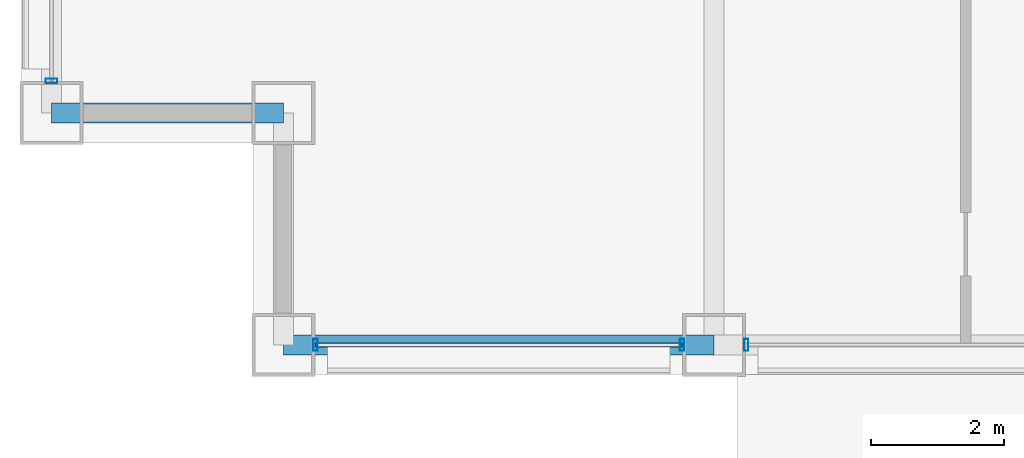
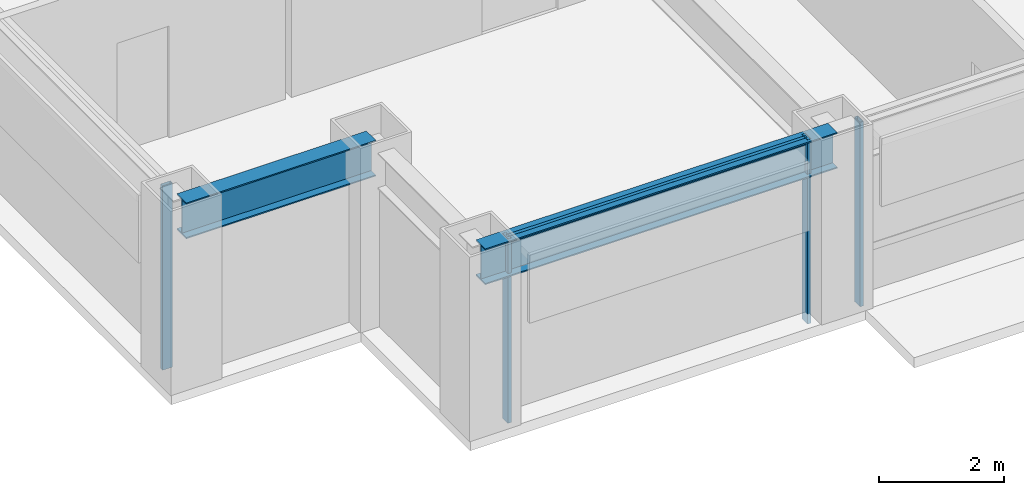
# One storey, part 2 of 28: 5 members, 2 beams, 3 elements without a shape of their own.
"""IFC4 building model written with IfcOpenShell, lengths in metres."""

from ifc_helpers import new_model, si_unit, direction, frame, origin, origin_2d, place, context, subcontext, project, spatial, hollow_rectangle, i_section, extrude, material, layer, layer_set, material_profile, profile_set, type_object, element, aggregate, save


model = new_model("IFC4")

# Units and contexts
model_context = context("Model", 3, precision=1e-05, world=origin(), true_north=direction((0.0, 1.0)))
body_context = subcontext(model_context, "Body", "Model", "MODEL_VIEW")
ifc_project = project(units=[si_unit("LENGTHUNIT", "METRE"), si_unit("AREAUNIT", "SQUARE_METRE"), si_unit("VOLUMEUNIT", "CUBIC_METRE"), si_unit("PLANEANGLEUNIT", "RADIAN"), si_unit("MASSUNIT", "GRAM", prefix="KILO")], contexts=[model_context])

# Site, building, storey
site_placement = place(None, origin())
site = spatial("IfcSite", under=ifc_project, at=site_placement, CompositionType="ELEMENT")
building_placement = place(site_placement, origin())
building = spatial("IfcBuilding", under=site, at=building_placement, Name="Brelmoor Portico Tower", CompositionType="ELEMENT")
storey_placement = place(building_placement, frame((0.0, 0.0, 49.199951171875)))
storey = spatial("IfcBuildingStorey", under=building, at=storey_placement, Name="L12", CompositionType="ELEMENT", Elevation=49.199951171875)

# Beams
ifc_material_1 = material(Name="Steel Q355B", Category="steel")
ifc_material_profile_1 = material_profile(ifc_material_1, i_section(OverallWidth=0.300048828125, OverallDepth=0.699951171875, WebThickness=0.012939453125, FlangeThickness=0.02392578125, at=origin_2d()), Name="HN 700x300x13x24")
ifc_profile_set_1 = profile_set([ifc_material_profile_1], Name="Steel Q355B")
beam_type = type_object("IfcBeamType", Name="BM-SP-700", PredefinedType="SPANDREL", material=ifc_profile_set_1)
beam_1_placement = place(storey_placement, frame((-21.050048828125, -21.550048828125, 3.050048828125), z_axis=(1.0, 0.0, 0.0), x_axis=(0.0, 1.0, 0.0)))
element("IfcBeam", 1, at=beam_1_placement, inside=storey, type_object=beam_type, Name="L12 Perimeter Spandrel Beam SP-01", PredefinedType="SPANDREL", context=body_context, shape_type="SweptSolid", body=[
    extrude(i_section(OverallWidth=0.300048828125, OverallDepth=0.699951171875, WebThickness=0.012939453125, FlangeThickness=0.02392578125, at=origin_2d()), origin(), (0.0, 0.0, 1.0), 6.5),
])
beam_2_placement = place(storey_placement, frame((-24.550048828125, -18.050048828125, 3.050048828125), z_axis=(1.0, 0.0, 0.0), x_axis=(0.0, 1.0, 0.0)))
element("IfcBeam", 2, at=beam_2_placement, inside=storey, type_object=beam_type, Name="L12 Perimeter Spandrel Beam SP-06", PredefinedType="SPANDREL", context=body_context, shape_type="SweptSolid", body=[
    extrude(i_section(OverallWidth=0.300048828125, OverallDepth=0.699951171875, WebThickness=0.012939453125, FlangeThickness=0.02392578125, at=origin_2d()), origin(), (0.0, 0.0, 1.0), 3.5),
])

# Curtain wall, members
ifc_material_2 = material(Name="Anodised Aluminium Alloy 6063-T6", Category="aluminium")
ifc_layer_1 = layer(ifc_material_2, 0.179931640625)
ifc_layer_set_1 = layer_set([ifc_layer_1], Name="Anodised Aluminium Alloy 6063-T6")
curtain_wall_type_1 = type_object("IfcCurtainWallType", Name="CW-TOWER-Z1-XB", PredefinedType="NOTDEFINED", material=ifc_layer_set_1)
curtain_wall_1_placement = place(storey_placement, origin())
curtain_wall_1 = element("IfcCurtainWall", 3, at=curtain_wall_1_placement, inside=storey, type_object=curtain_wall_type_1, Name="L12 Curtain Wall CW-L12-01-1", PredefinedType="NOTDEFINED")
ifc_material_profile_2 = material_profile(ifc_material_2, hollow_rectangle(XDim=0.06494140625, YDim=0.179931640625, WallThickness=0.00390625, at=origin_2d()), Name="ALU MULLION 65x180")
ifc_profile_set_2 = profile_set([ifc_material_profile_2], Name="Anodised Aluminium Alloy 6063-T6")
member_type_1 = type_object("IfcMemberType", Name="MB-CW-MULL-180", PredefinedType="MULLION", material=ifc_profile_set_2)
member_1_placement = place(storey_placement, frame((-20.56494140625, -21.550048828125, -0.199951171875), z_axis=(0.0, 0.0, 1.0), x_axis=(1.0, 0.0, 0.0)))
member_1 = element("IfcMember", 4, at=member_1_placement, type_object=member_type_1, Name="CW-L12-01-1 Mullion 00", PredefinedType="MULLION", context=body_context, shape_type="SweptSolid", body=[
    extrude(hollow_rectangle(XDim=0.06494140625, YDim=0.179931640625, WallThickness=0.00390625, at=origin_2d()), origin(), (0.0, 0.0, 1.0), 3.60009765625),
])
member_2_placement = place(storey_placement, frame((-15.034912109375, -21.550048828125, -0.199951171875), z_axis=(0.0, 0.0, 1.0), x_axis=(1.0, 0.0, 0.0)))
member_2 = element("IfcMember", 5, at=member_2_placement, type_object=member_type_1, Name="CW-L12-01-1 Mullion 01", PredefinedType="MULLION", context=body_context, shape_type="SweptSolid", body=[
    extrude(hollow_rectangle(XDim=0.06494140625, YDim=0.179931640625, WallThickness=0.00390625, at=origin_2d()), origin(), (0.0, 0.0, 1.0), 3.60009765625),
])

# Curtain wall, member
ifc_layer_2 = layer(ifc_material_2, 0.179931640625)
ifc_layer_set_2 = layer_set([ifc_layer_2], Name="Anodised Aluminium Alloy 6063-T6")
curtain_wall_type_2 = type_object("IfcCurtainWallType", Name="CW-TOWER-Z1", PredefinedType="NOTDEFINED", material=ifc_layer_set_2)
curtain_wall_2_placement = place(storey_placement, origin())
curtain_wall_2 = element("IfcCurtainWall", 6, at=curtain_wall_2_placement, inside=storey, type_object=curtain_wall_type_2, Name="L12 Curtain Wall CW-L12-01-2", PredefinedType="NOTDEFINED")
member_3_placement = place(storey_placement, frame((-14.06494140625, -21.550048828125, -0.199951171875), z_axis=(0.0, 0.0, 1.0), x_axis=(1.0, 0.0, 0.0)))
member_3 = element("IfcMember", 7, at=member_3_placement, type_object=member_type_1, Name="CW-L12-01-2 Mullion 00", PredefinedType="MULLION", context=body_context, shape_type="SweptSolid", body=[
    extrude(hollow_rectangle(XDim=0.06494140625, YDim=0.179931640625, WallThickness=0.00390625, at=origin_2d()), origin(), (0.0, 0.0, 1.0), 3.60009765625),
])
aggregate(curtain_wall_2, [member_3])

curtain_wall_3_placement = place(storey_placement, origin())
curtain_wall_3 = element("IfcCurtainWall", 8, at=curtain_wall_3_placement, inside=storey, type_object=curtain_wall_type_1, Name="L12 Curtain Wall CW-L12-03-1", PredefinedType="NOTDEFINED")
member_4_placement = place(storey_placement, frame((-24.550048828125, -17.56494140625, -0.199951171875), z_axis=(0.0, 0.0, 1.0), x_axis=(0.0, 1.0, 0.0)))
member_4 = element("IfcMember", 9, at=member_4_placement, type_object=member_type_1, Name="CW-L12-03-1 Mullion 00", PredefinedType="MULLION", context=body_context, shape_type="SweptSolid", body=[
    extrude(hollow_rectangle(XDim=0.06494140625, YDim=0.179931640625, WallThickness=0.00390625, at=origin_2d()), origin(), (0.0, 0.0, 1.0), 3.60009765625),
])
aggregate(curtain_wall_3, [member_4])

# Member
ifc_material_profile_3 = material_profile(ifc_material_2, hollow_rectangle(XDim=0.06494140625, YDim=0.139892578125, WallThickness=0.00390625, at=origin_2d()), Name="ALU TRANSOM 65x140")
ifc_profile_set_3 = profile_set([ifc_material_profile_3], Name="Anodised Aluminium Alloy 6063-T6")
member_type_2 = type_object("IfcMemberType", Name="MB-CW-TRAN-140", PredefinedType="USERDEFINED", material=ifc_profile_set_3)
member_5_placement = place(storey_placement, frame((-20.56494140625, -21.550048828125, 3.330078125), z_axis=(1.0, 0.0, 0.0), x_axis=(0.0, 1.0, 0.0)))
member_5 = element("IfcMember", 10, at=member_5_placement, type_object=member_type_2, Name="CW-L12-01-1 Transom 1-00", ObjectType="TRANSOM", PredefinedType="USERDEFINED", context=body_context, shape_type="SweptSolid", body=[
    extrude(hollow_rectangle(XDim=0.06494140625, YDim=0.139892578125, WallThickness=0.00390625, at=origin_2d()), origin(), (0.0, 0.0, 1.0), 5.530029296875),
])

aggregate(curtain_wall_1, [member_1, member_2, member_5])

save(model, "model.ifc")
